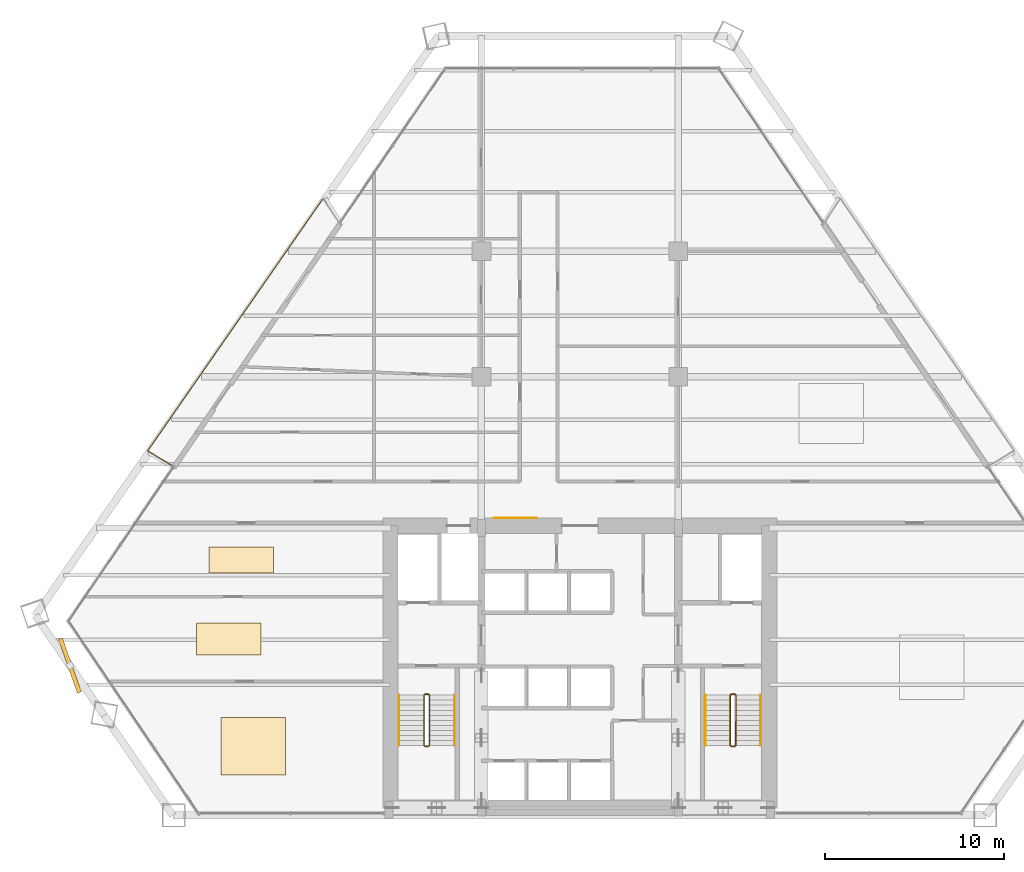
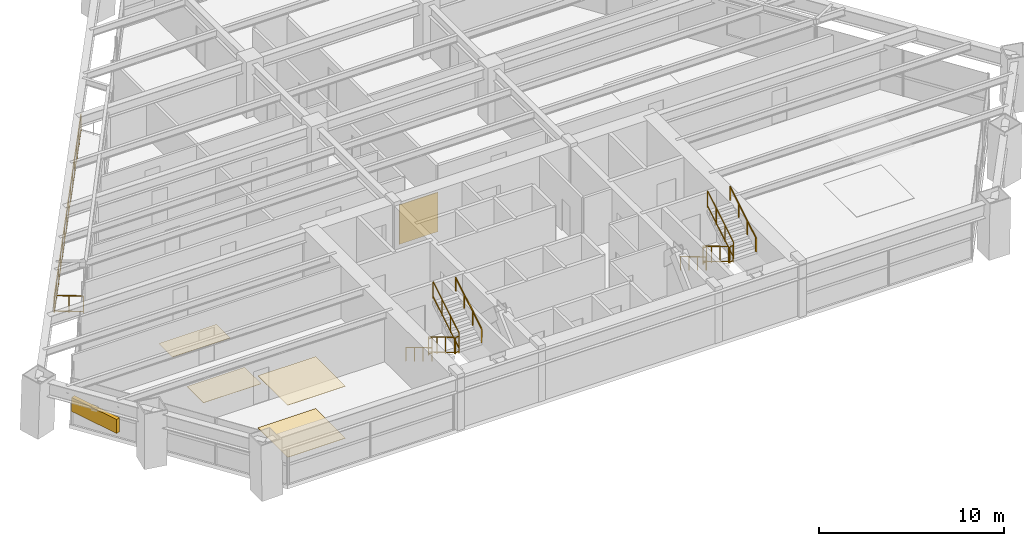
# One storey, part 13 of 14: 14 railings, 5 coverings, 1 shading device.
"""IFC4 building model written with IfcOpenShell, lengths in metres."""

from ifc_helpers import new_model, si_unit, direction, frame, origin, origin_2d, place, context, subcontext, project, spatial, rectangle, extrude, source, transform, mapped, material, layer, layer_set, type_object, type_shapes, element, save


model = new_model("IFC4")

# Units and contexts
model_context = context("Model", 3, precision=1e-05, world=origin(), true_north=direction((0.0, 1.0)))
body_context = subcontext(model_context, "Body", "Model", "MODEL_VIEW")
ifc_project = project(units=[si_unit("LENGTHUNIT", "METRE"), si_unit("AREAUNIT", "SQUARE_METRE"), si_unit("VOLUMEUNIT", "CUBIC_METRE"), si_unit("PLANEANGLEUNIT", "RADIAN"), si_unit("MASSUNIT", "GRAM", prefix="KILO")], contexts=[model_context])

# Site, building, storey
site_placement = place(None, origin())
site = spatial("IfcSite", under=ifc_project, at=site_placement, CompositionType="ELEMENT")
building_placement = place(site_placement, origin())
building = spatial("IfcBuilding", under=site, at=building_placement, Name="Varnakhor Terracotta Tower", CompositionType="ELEMENT")
storey_placement = place(building_placement, frame((0.0, 0.0, 38.60009765625)))
storey = spatial("IfcBuildingStorey", under=building, at=storey_placement, Name="L08", CompositionType="ELEMENT", Elevation=38.60009765625)

# Railings
ifc_material_1 = material(Name="Stainless Steel & Laminated Glass Guardrail", Category="steel")
railing_type_1 = type_object("IfcRailingType", Name="RLG-LOGGIA-GUARD-1150", PredefinedType="GUARDRAIL", material=ifc_material_1)
railing_1_placement = place(storey_placement, frame((-22.77880859375, 19.523681640625, 0.0)))
element("IfcRailing", 1, at=railing_1_placement, inside=storey, type_object=railing_type_1, Name="L08 W Loggia Glass Guard 1", PredefinedType="GUARDRAIL", context=body_context, shape_type="SweptSolid", body=[
    extrude(rectangle(XDim=0.048095703125, YDim=0.048095703125, at=origin_2d()), frame((0.0, 0.0, 1.1259765625), z_axis=(-0.850951355504, 0.525244505508, 0.0), x_axis=(-0.525244505508, -0.850951355504, 0.0)), (0.0, 0.0, 1.0), 1.590576171875),
    extrude(rectangle(XDim=0.048095703125, YDim=0.048095703125, at=origin_2d()), frame((0.0, 0.0, 0.10009765625), z_axis=(-0.850951355504, 0.525244505508, 0.0), x_axis=(-0.525244505508, -0.850951355504, 0.0)), (0.0, 0.0, 1.0), 1.590576171875),
    extrude(rectangle(XDim=0.0419921875, YDim=0.0419921875, at=origin_2d()), origin(), (0.0, 0.0, 1.0), 1.101806640625),
    extrude(rectangle(XDim=0.0419921875, YDim=0.0419921875, at=origin_2d()), frame((-0.6767578125, 0.417724609375, 0.0)), (0.0, 0.0, 1.0), 1.101806640625),
    extrude(rectangle(XDim=0.0419921875, YDim=0.0419921875, at=origin_2d()), frame((-1.353515625, 0.83544921875, 0.0)), (0.0, 0.0, 1.0), 1.101806640625),
])
railing_2_placement = place(storey_placement, frame((-24.13232421875, 20.359130859375, 0.0)))
element("IfcRailing", 2, at=railing_2_placement, inside=storey, type_object=railing_type_1, Name="L08 W Loggia Glass Guard 2", PredefinedType="GUARDRAIL", context=body_context, shape_type="SweptSolid", body=[
    extrude(rectangle(XDim=0.048095703125, YDim=0.048095703125, at=origin_2d()), frame((0.0, 0.0, 1.1259765625), z_axis=(0.570716504181, 0.821147168208, 0.0), x_axis=(-0.821147168208, 0.570716504181, 0.0)), (0.0, 0.0, 1.0), 17.146240234375),
    extrude(rectangle(XDim=0.048095703125, YDim=0.048095703125, at=origin_2d()), frame((0.0, 0.0, 0.10009765625), z_axis=(0.570716504181, 0.821147168208, 0.0), x_axis=(-0.821147168208, 0.570716504181, 0.0)), (0.0, 0.0, 1.0), 17.146240234375),
    extrude(rectangle(XDim=0.0419921875, YDim=0.0419921875, at=origin_2d()), origin(), (0.0, 0.0, 1.0), 1.101806640625),
    extrude(rectangle(XDim=0.0419921875, YDim=0.0419921875, at=origin_2d()), frame((0.752685546875, 1.0830078125, 0.0)), (0.0, 0.0, 1.0), 1.101806640625),
    extrude(rectangle(XDim=0.0419921875, YDim=0.0419921875, at=origin_2d()), frame((1.50537109375, 2.166015625, 0.0)), (0.0, 0.0, 1.0), 1.101806640625),
    extrude(rectangle(XDim=0.0419921875, YDim=0.0419921875, at=origin_2d()), frame((2.25830078125, 3.2490234375, 0.0)), (0.0, 0.0, 1.0), 1.101806640625),
    extrude(rectangle(XDim=0.0419921875, YDim=0.0419921875, at=origin_2d()), frame((3.010986328125, 4.332275390625, 0.0)), (0.0, 0.0, 1.0), 1.101806640625),
    extrude(rectangle(XDim=0.0419921875, YDim=0.0419921875, at=origin_2d()), frame((3.763671875, 5.415283203125, 0.0)), (0.0, 0.0, 1.0), 1.101806640625),
    extrude(rectangle(XDim=0.0419921875, YDim=0.0419921875, at=origin_2d()), frame((4.516357421875, 6.498291015625, 0.0)), (0.0, 0.0, 1.0), 1.101806640625),
    extrude(rectangle(XDim=0.0419921875, YDim=0.0419921875, at=origin_2d()), frame((5.269287109375, 7.581298828125, 0.0)), (0.0, 0.0, 1.0), 1.101806640625),
    extrude(rectangle(XDim=0.0419921875, YDim=0.0419921875, at=origin_2d()), frame((6.02197265625, 8.664306640625, 0.0)), (0.0, 0.0, 1.0), 1.101806640625),
    extrude(rectangle(XDim=0.0419921875, YDim=0.0419921875, at=origin_2d()), frame((6.774658203125, 9.747314453125, 0.0)), (0.0, 0.0, 1.0), 1.101806640625),
    extrude(rectangle(XDim=0.0419921875, YDim=0.0419921875, at=origin_2d()), frame((7.52734375, 10.83056640625, 0.0)), (0.0, 0.0, 1.0), 1.101806640625),
    extrude(rectangle(XDim=0.0419921875, YDim=0.0419921875, at=origin_2d()), frame((8.2802734375, 11.91357421875, 0.0)), (0.0, 0.0, 1.0), 1.101806640625),
    extrude(rectangle(XDim=0.0419921875, YDim=0.0419921875, at=origin_2d()), frame((9.032958984375, 12.99658203125, 0.0)), (0.0, 0.0, 1.0), 1.101806640625),
    extrude(rectangle(XDim=0.0419921875, YDim=0.0419921875, at=origin_2d()), frame((9.78564453125, 14.07958984375, 0.0)), (0.0, 0.0, 1.0), 1.101806640625),
])
ifc_material_2 = material(Name="Painted Steel Stairwell Guardrail", Category="steel")
railing_type_2 = type_object("IfcRailingType", Name="RLG-STAIR-GUARD-1120", PredefinedType="GUARDRAIL", material=ifc_material_2)
railing_3_placement = place(storey_placement, frame((-8.699951171875, 6.7099609375, 0.16796875)))
element("IfcRailing", 3, at=railing_3_placement, inside=storey, type_object=railing_type_2, Name="L08 ST-1 stair guard 1", PredefinedType="GUARDRAIL", context=body_context, shape_type="SweptSolid", body=[
    extrude(rectangle(XDim=0.048095703125, YDim=0.048095703125, at=origin_2d()), frame((0.0, 0.0, 1.09619140625), z_axis=(0.0, -0.857242210791, 0.514913383045), x_axis=(1.0, 0.0, 0.0)), (0.0, 0.0, 1.0), 3.266357421875),
    extrude(rectangle(XDim=0.048095703125, YDim=0.048095703125, at=origin_2d()), frame((0.0, 0.0, 0.10009765625), z_axis=(0.0, -0.857242210791, 0.514913383045), x_axis=(1.0, 0.0, 0.0)), (0.0, 0.0, 1.0), 3.266357421875),
    extrude(rectangle(XDim=0.0419921875, YDim=0.0419921875, at=origin_2d()), origin(), (0.0, 0.0, 1.0), 1.072021484375),
    extrude(rectangle(XDim=0.0419921875, YDim=0.0419921875, at=origin_2d()), frame((0.0, -0.933349609375, 0.560546875)), (0.0, 0.0, 1.0), 1.072021484375),
    extrude(rectangle(XDim=0.0419921875, YDim=0.0419921875, at=origin_2d()), frame((0.0, -1.86669921875, 1.121337890625)), (0.0, 0.0, 1.0), 1.072021484375),
    extrude(rectangle(XDim=0.0419921875, YDim=0.0419921875, at=origin_2d()), frame((0.0, -2.800048828125, 1.681884765625)), (0.0, 0.0, 1.0), 1.072021484375),
])
railing_4_placement = place(storey_placement, frame((-8.64990234375, 3.860107421875, 1.849853515625)))
element("IfcRailing", 4, at=railing_4_placement, inside=storey, type_object=railing_type_2, Name="L08 ST-1 stair guard 2", PredefinedType="GUARDRAIL", context=body_context, shape_type="SweptSolid", body=[
    extrude(rectangle(XDim=0.048095703125, YDim=0.048095703125, at=origin_2d()), frame((0.0, 0.0, 1.09619140625), z_axis=(1.0, 0.0, 0.0), x_axis=(0.0, 1.0, 0.0)), (0.0, 0.0, 1.0), 0.199951171875),
    extrude(rectangle(XDim=0.048095703125, YDim=0.048095703125, at=origin_2d()), frame((0.0, 0.0, 0.10009765625), z_axis=(1.0, 0.0, 0.0), x_axis=(0.0, 1.0, 0.0)), (0.0, 0.0, 1.0), 0.199951171875),
    extrude(rectangle(XDim=0.0419921875, YDim=0.0419921875, at=origin_2d()), origin(), (0.0, 0.0, 1.0), 1.072021484375),
    extrude(rectangle(XDim=0.0419921875, YDim=0.0419921875, at=origin_2d()), frame((0.199951171875, 0.0, 0.0)), (0.0, 0.0, 1.0), 1.072021484375),
])
railing_5_placement = place(storey_placement, frame((-8.39990234375, 3.909912109375, 2.01806640625)))
element("IfcRailing", 5, at=railing_5_placement, inside=storey, type_object=railing_type_2, Name="L08 ST-1 stair guard 3", PredefinedType="GUARDRAIL", context=body_context, shape_type="SweptSolid", body=[
    extrude(rectangle(XDim=0.048095703125, YDim=0.048095703125, at=origin_2d()), frame((0.0, 0.0, 1.09619140625), z_axis=(0.0, 0.857242210791, 0.514913383045), x_axis=(-1.0, 0.0, 0.0)), (0.0, 0.0, 1.0), 3.266357421875),
    extrude(rectangle(XDim=0.048095703125, YDim=0.048095703125, at=origin_2d()), frame((0.0, 0.0, 0.10009765625), z_axis=(0.0, 0.857242210791, 0.514913383045), x_axis=(-1.0, 0.0, 0.0)), (0.0, 0.0, 1.0), 3.266357421875),
    extrude(rectangle(XDim=0.0419921875, YDim=0.0419921875, at=origin_2d()), origin(), (0.0, 0.0, 1.0), 1.072021484375),
    extrude(rectangle(XDim=0.0419921875, YDim=0.0419921875, at=origin_2d()), frame((0.0, 0.933349609375, 0.560546875)), (0.0, 0.0, 1.0), 1.072021484375),
    extrude(rectangle(XDim=0.0419921875, YDim=0.0419921875, at=origin_2d()), frame((0.0, 1.86669921875, 1.121337890625)), (0.0, 0.0, 1.0), 1.072021484375),
    extrude(rectangle(XDim=0.0419921875, YDim=0.0419921875, at=origin_2d()), frame((0.0, 2.800048828125, 1.681884765625)), (0.0, 0.0, 1.0), 1.072021484375),
])
railing_6_placement = place(storey_placement, frame((-8.64990234375, 6.760009765625, 0.0)))
element("IfcRailing", 6, at=railing_6_placement, inside=storey, type_object=railing_type_2, Name="L08 ST-1 stair guard 4", PredefinedType="GUARDRAIL", context=body_context, shape_type="SweptSolid", body=[
    extrude(rectangle(XDim=0.048095703125, YDim=0.048095703125, at=origin_2d()), frame((0.0, 0.0, 1.09619140625), z_axis=(1.0, 0.0, 0.0), x_axis=(0.0, 1.0, 0.0)), (0.0, 0.0, 1.0), 0.199951171875),
    extrude(rectangle(XDim=0.048095703125, YDim=0.048095703125, at=origin_2d()), frame((0.0, 0.0, 0.10009765625), z_axis=(1.0, 0.0, 0.0), x_axis=(0.0, 1.0, 0.0)), (0.0, 0.0, 1.0), 0.199951171875),
    extrude(rectangle(XDim=0.0419921875, YDim=0.0419921875, at=origin_2d()), origin(), (0.0, 0.0, 1.0), 1.072021484375),
    extrude(rectangle(XDim=0.0419921875, YDim=0.0419921875, at=origin_2d()), frame((0.199951171875, 0.0, 0.0)), (0.0, 0.0, 1.0), 1.072021484375),
])
railing_7_placement = place(storey_placement, frame((8.39990234375, 6.7099609375, 0.16796875)))
element("IfcRailing", 7, at=railing_7_placement, inside=storey, type_object=railing_type_2, Name="L08 ST-2 stair guard 1", PredefinedType="GUARDRAIL", context=body_context, shape_type="SweptSolid", body=[
    extrude(rectangle(XDim=0.048095703125, YDim=0.048095703125, at=origin_2d()), frame((0.0, 0.0, 1.09619140625), z_axis=(0.0, -0.857242210791, 0.514913383045), x_axis=(1.0, 0.0, 0.0)), (0.0, 0.0, 1.0), 3.266357421875),
    extrude(rectangle(XDim=0.048095703125, YDim=0.048095703125, at=origin_2d()), frame((0.0, 0.0, 0.10009765625), z_axis=(0.0, -0.857242210791, 0.514913383045), x_axis=(1.0, 0.0, 0.0)), (0.0, 0.0, 1.0), 3.266357421875),
    extrude(rectangle(XDim=0.0419921875, YDim=0.0419921875, at=origin_2d()), origin(), (0.0, 0.0, 1.0), 1.072021484375),
    extrude(rectangle(XDim=0.0419921875, YDim=0.0419921875, at=origin_2d()), frame((0.0, -0.933349609375, 0.560546875)), (0.0, 0.0, 1.0), 1.072021484375),
    extrude(rectangle(XDim=0.0419921875, YDim=0.0419921875, at=origin_2d()), frame((0.0, -1.86669921875, 1.121337890625)), (0.0, 0.0, 1.0), 1.072021484375),
    extrude(rectangle(XDim=0.0419921875, YDim=0.0419921875, at=origin_2d()), frame((0.0, -2.800048828125, 1.681884765625)), (0.0, 0.0, 1.0), 1.072021484375),
])
railing_8_placement = place(storey_placement, frame((8.449951171875, 3.860107421875, 1.849853515625)))
element("IfcRailing", 8, at=railing_8_placement, inside=storey, type_object=railing_type_2, Name="L08 ST-2 stair guard 2", PredefinedType="GUARDRAIL", context=body_context, shape_type="SweptSolid", body=[
    extrude(rectangle(XDim=0.048095703125, YDim=0.048095703125, at=origin_2d()), frame((0.0, 0.0, 1.09619140625), z_axis=(1.0, 0.0, 0.0), x_axis=(0.0, 1.0, 0.0)), (0.0, 0.0, 1.0), 0.199951171875),
    extrude(rectangle(XDim=0.048095703125, YDim=0.048095703125, at=origin_2d()), frame((0.0, 0.0, 0.10009765625), z_axis=(1.0, 0.0, 0.0), x_axis=(0.0, 1.0, 0.0)), (0.0, 0.0, 1.0), 0.199951171875),
    extrude(rectangle(XDim=0.0419921875, YDim=0.0419921875, at=origin_2d()), origin(), (0.0, 0.0, 1.0), 1.072021484375),
    extrude(rectangle(XDim=0.0419921875, YDim=0.0419921875, at=origin_2d()), frame((0.199951171875, 0.0, 0.0)), (0.0, 0.0, 1.0), 1.072021484375),
])
railing_9_placement = place(storey_placement, frame((8.699951171875, 3.909912109375, 2.01806640625)))
element("IfcRailing", 9, at=railing_9_placement, inside=storey, type_object=railing_type_2, Name="L08 ST-2 stair guard 3", PredefinedType="GUARDRAIL", context=body_context, shape_type="SweptSolid", body=[
    extrude(rectangle(XDim=0.048095703125, YDim=0.048095703125, at=origin_2d()), frame((0.0, 0.0, 1.09619140625), z_axis=(0.0, 0.857242210791, 0.514913383045), x_axis=(-1.0, 0.0, 0.0)), (0.0, 0.0, 1.0), 3.266357421875),
    extrude(rectangle(XDim=0.048095703125, YDim=0.048095703125, at=origin_2d()), frame((0.0, 0.0, 0.10009765625), z_axis=(0.0, 0.857242210791, 0.514913383045), x_axis=(-1.0, 0.0, 0.0)), (0.0, 0.0, 1.0), 3.266357421875),
    extrude(rectangle(XDim=0.0419921875, YDim=0.0419921875, at=origin_2d()), origin(), (0.0, 0.0, 1.0), 1.072021484375),
    extrude(rectangle(XDim=0.0419921875, YDim=0.0419921875, at=origin_2d()), frame((0.0, 0.933349609375, 0.560546875)), (0.0, 0.0, 1.0), 1.072021484375),
    extrude(rectangle(XDim=0.0419921875, YDim=0.0419921875, at=origin_2d()), frame((0.0, 1.86669921875, 1.121337890625)), (0.0, 0.0, 1.0), 1.072021484375),
    extrude(rectangle(XDim=0.0419921875, YDim=0.0419921875, at=origin_2d()), frame((0.0, 2.800048828125, 1.681884765625)), (0.0, 0.0, 1.0), 1.072021484375),
])
railing_10_placement = place(storey_placement, frame((8.449951171875, 6.760009765625, 0.0)))
element("IfcRailing", 10, at=railing_10_placement, inside=storey, type_object=railing_type_2, Name="L08 ST-2 stair guard 4", PredefinedType="GUARDRAIL", context=body_context, shape_type="SweptSolid", body=[
    extrude(rectangle(XDim=0.048095703125, YDim=0.048095703125, at=origin_2d()), frame((0.0, 0.0, 1.09619140625), z_axis=(1.0, 0.0, 0.0), x_axis=(0.0, 1.0, 0.0)), (0.0, 0.0, 1.0), 0.199951171875),
    extrude(rectangle(XDim=0.048095703125, YDim=0.048095703125, at=origin_2d()), frame((0.0, 0.0, 0.10009765625), z_axis=(1.0, 0.0, 0.0), x_axis=(0.0, 1.0, 0.0)), (0.0, 0.0, 1.0), 0.199951171875),
    extrude(rectangle(XDim=0.0419921875, YDim=0.0419921875, at=origin_2d()), origin(), (0.0, 0.0, 1.0), 1.072021484375),
    extrude(rectangle(XDim=0.0419921875, YDim=0.0419921875, at=origin_2d()), frame((0.199951171875, 0.0, 0.0)), (0.0, 0.0, 1.0), 1.072021484375),
])
ifc_material_3 = material(Name="Brushed Stainless Steel Handrail", Category="steel")
railing_type_3 = type_object("IfcRailingType", Name="RLG-STAIR-HANDRAIL-920", PredefinedType="HANDRAIL", material=ifc_material_3)
railing_11_placement = place(storey_placement, frame((-10.10009765625, 6.7099609375, 0.16796875)))
element("IfcRailing", 11, at=railing_11_placement, inside=storey, type_object=railing_type_3, Name="L08 ST-1 stair handrail 1", PredefinedType="HANDRAIL", context=body_context, shape_type="SweptSolid", body=[
    extrude(rectangle(XDim=0.048095703125, YDim=0.048095703125, at=origin_2d()), frame((0.0, 0.0, 0.89599609375), z_axis=(0.0, -0.857242210791, 0.514913383045), x_axis=(1.0, 0.0, 0.0)), (0.0, 0.0, 1.0), 3.266357421875),
    extrude(rectangle(XDim=0.0419921875, YDim=0.0419921875, at=origin_2d()), origin(), (0.0, 0.0, 1.0), 0.871826171875),
    extrude(rectangle(XDim=0.0419921875, YDim=0.0419921875, at=origin_2d()), frame((0.0, -0.933349609375, 0.560546875)), (0.0, 0.0, 1.0), 0.871826171875),
    extrude(rectangle(XDim=0.0419921875, YDim=0.0419921875, at=origin_2d()), frame((0.0, -1.86669921875, 1.121337890625)), (0.0, 0.0, 1.0), 0.871826171875),
    extrude(rectangle(XDim=0.0419921875, YDim=0.0419921875, at=origin_2d()), frame((0.0, -2.800048828125, 1.681884765625)), (0.0, 0.0, 1.0), 0.871826171875),
])
railing_12_placement = place(storey_placement, frame((-7.0, 3.909912109375, 2.01806640625)))
element("IfcRailing", 12, at=railing_12_placement, inside=storey, type_object=railing_type_3, Name="L08 ST-1 stair handrail 2", PredefinedType="HANDRAIL", context=body_context, shape_type="SweptSolid", body=[
    extrude(rectangle(XDim=0.048095703125, YDim=0.048095703125, at=origin_2d()), frame((0.0, 0.0, 0.89599609375), z_axis=(0.0, 0.857242210791, 0.514913383045), x_axis=(-1.0, 0.0, 0.0)), (0.0, 0.0, 1.0), 3.266357421875),
    extrude(rectangle(XDim=0.0419921875, YDim=0.0419921875, at=origin_2d()), origin(), (0.0, 0.0, 1.0), 0.871826171875),
    extrude(rectangle(XDim=0.0419921875, YDim=0.0419921875, at=origin_2d()), frame((0.0, 0.933349609375, 0.560546875)), (0.0, 0.0, 1.0), 0.871826171875),
    extrude(rectangle(XDim=0.0419921875, YDim=0.0419921875, at=origin_2d()), frame((0.0, 1.86669921875, 1.121337890625)), (0.0, 0.0, 1.0), 0.871826171875),
    extrude(rectangle(XDim=0.0419921875, YDim=0.0419921875, at=origin_2d()), frame((0.0, 2.800048828125, 1.681884765625)), (0.0, 0.0, 1.0), 0.871826171875),
])
railing_13_placement = place(storey_placement, frame((7.0, 6.7099609375, 0.16796875)))
element("IfcRailing", 13, at=railing_13_placement, inside=storey, type_object=railing_type_3, Name="L08 ST-2 stair handrail 1", PredefinedType="HANDRAIL", context=body_context, shape_type="SweptSolid", body=[
    extrude(rectangle(XDim=0.048095703125, YDim=0.048095703125, at=origin_2d()), frame((0.0, 0.0, 0.89599609375), z_axis=(0.0, -0.857242210791, 0.514913383045), x_axis=(1.0, 0.0, 0.0)), (0.0, 0.0, 1.0), 3.266357421875),
    extrude(rectangle(XDim=0.0419921875, YDim=0.0419921875, at=origin_2d()), origin(), (0.0, 0.0, 1.0), 0.871826171875),
    extrude(rectangle(XDim=0.0419921875, YDim=0.0419921875, at=origin_2d()), frame((0.0, -0.933349609375, 0.560546875)), (0.0, 0.0, 1.0), 0.871826171875),
    extrude(rectangle(XDim=0.0419921875, YDim=0.0419921875, at=origin_2d()), frame((0.0, -1.86669921875, 1.121337890625)), (0.0, 0.0, 1.0), 0.871826171875),
    extrude(rectangle(XDim=0.0419921875, YDim=0.0419921875, at=origin_2d()), frame((0.0, -2.800048828125, 1.681884765625)), (0.0, 0.0, 1.0), 0.871826171875),
])
railing_14_placement = place(storey_placement, frame((10.10009765625, 3.909912109375, 2.01806640625)))
element("IfcRailing", 14, at=railing_14_placement, inside=storey, type_object=railing_type_3, Name="L08 ST-2 stair handrail 2", PredefinedType="HANDRAIL", context=body_context, shape_type="SweptSolid", body=[
    extrude(rectangle(XDim=0.048095703125, YDim=0.048095703125, at=origin_2d()), frame((0.0, 0.0, 0.89599609375), z_axis=(0.0, 0.857242210791, 0.514913383045), x_axis=(-1.0, 0.0, 0.0)), (0.0, 0.0, 1.0), 3.266357421875),
    extrude(rectangle(XDim=0.0419921875, YDim=0.0419921875, at=origin_2d()), origin(), (0.0, 0.0, 1.0), 0.871826171875),
    extrude(rectangle(XDim=0.0419921875, YDim=0.0419921875, at=origin_2d()), frame((0.0, 0.933349609375, 0.560546875)), (0.0, 0.0, 1.0), 0.871826171875),
    extrude(rectangle(XDim=0.0419921875, YDim=0.0419921875, at=origin_2d()), frame((0.0, 1.86669921875, 1.121337890625)), (0.0, 0.0, 1.0), 0.871826171875),
    extrude(rectangle(XDim=0.0419921875, YDim=0.0419921875, at=origin_2d()), frame((0.0, 2.800048828125, 1.681884765625)), (0.0, 0.0, 1.0), 0.871826171875),
])

# Shading device
ifc_material_4 = material(Name="Extruded Architectural Terracotta Screen", Category="masonry")
shading_device_type = type_object("IfcShadingDeviceType", Name="TERRACOTTA SOLAR SCREEN W", PredefinedType="USERDEFINED", material=ifc_material_4)
shared_shape_1 = source(origin(), body_context, "Body", "SweptSolid", [
    extrude(rectangle(XDim=3.199951171875, YDim=0.239990234375, at=origin_2d()), origin(), (0.0, 0.0, 1.0), 0.919921875),
])
type_shapes(shading_device_type, [shared_shape_1])
shading_device_placement = place(storey_placement, frame((-28.48095703125, 8.369873046875, 1.617919921875), z_axis=(0.0, 0.0, 1.0), x_axis=(0.333642332174, -0.942699737022, 0.0)))
element("IfcShadingDevice", 15, at=shading_device_placement, inside=storey, type_object=shading_device_type, Name="L08 W Terracotta Solar Screen", ObjectType="SCREEN", PredefinedType="USERDEFINED", context=body_context, shape_type="MappedRepresentation", body=[
    mapped(shared_shape_1, transform((0.0, 0.0, 0.0), scale=1.0)),
])

# Coverings
ifc_material_5 = material(Name="Extruded Architectural Terracotta Cladding", Category="masonry")
ifc_layer_1 = layer(ifc_material_5, 0.044921875, Name="Extruded Architectural Terracotta Cladding")
ifc_layer_set_1 = layer_set([ifc_layer_1], Name="Extruded Architectural Terracotta Cladding")
covering_type_1 = type_object("IfcCoveringType", Name="COV-CLAD-TERRACOTTA", PredefinedType="CLADDING", material=ifc_layer_set_1)
shared_shape_2 = source(origin(), body_context, "Body", "SweptSolid", [
    extrude(rectangle(XDim=2.39990234375, YDim=0.030029296875, at=origin_2d()), origin(), (0.0, 0.0, 1.0), 2.60009765625),
])
type_shapes(covering_type_1, [shared_shape_2])
covering_1_placement = place(storey_placement, frame((-3.60009765625, 16.612060546875, -0.000244140625), z_axis=(0.0, 0.0, 1.0), x_axis=(1.0, 0.0, 0.0)))
element("IfcCovering", 16, at=covering_1_placement, inside=storey, type_object=covering_type_1, Name="L08 Core Lobby Limestone Cladding", PredefinedType="CLADDING", context=body_context, shape_type="MappedRepresentation", body=[
    mapped(shared_shape_2, transform((0.0, 0.0, 0.0), scale=1.0)),
])
ifc_material_6 = material(Name="Honed Riyadh Limestone Flooring", Category="masonry")
ifc_layer_2 = layer(ifc_material_6, 0.030029296875, Name="Honed Riyadh Limestone Flooring")
ifc_layer_set_2 = layer_set([ifc_layer_2], Name="Honed Riyadh Limestone Flooring")
covering_type_2 = type_object("IfcCoveringType", Name="COV-FLOOR-LIMESTONE", PredefinedType="FLOORING", material=ifc_layer_set_2)
shared_shape_3 = source(origin(), body_context, "Body", "SweptSolid", [
    extrude(rectangle(XDim=3.60009765625, YDim=3.214111328125, at=origin_2d()), origin(), (0.0, 0.0, 1.0), 0.02001953125),
])
covering_2_placement = place(storey_placement, frame((-18.241943359375, 3.85205078125, 0.0), z_axis=(0.0, 0.0, 1.0), x_axis=(1.0, 0.0, 0.0)))
element("IfcCovering", 17, at=covering_2_placement, inside=storey, type_object=covering_type_2, Name="L08 Honed Stone Flooring 1", PredefinedType="FLOORING", context=body_context, shape_type="MappedRepresentation", body=[
    mapped(shared_shape_3, transform((0.0, 0.0, 0.0), scale=1.0)),
])
ifc_material_7 = material(Name="Perforated Acoustic Mineral-Fibre Ceiling", Category="gypsum")
ifc_layer_3 = layer(ifc_material_7, 0.02490234375, Name="Perforated Acoustic Mineral-Fibre Ceiling")
ifc_layer_set_3 = layer_set([ifc_layer_3], Name="Perforated Acoustic Mineral-Fibre Ceiling")
covering_type_3 = type_object("IfcCoveringType", Name="COV-CEILING-ACOUSTIC", PredefinedType="CEILING", material=ifc_layer_set_3)
shared_shape_4 = source(origin(), body_context, "Body", "SweptSolid", [
    extrude(rectangle(XDim=3.60009765625, YDim=3.214111328125, at=origin_2d()), origin(), (0.0, 0.0, 1.0), 0.02392578125),
])
covering_3_placement = place(storey_placement, frame((-18.241943359375, 3.85205078125, 3.426025390625), z_axis=(0.0, 0.0, 1.0), x_axis=(1.0, 0.0, 0.0)))
element("IfcCovering", 18, at=covering_3_placement, inside=storey, type_object=covering_type_3, Name="L08 Acoustic Ceiling Panel 1", PredefinedType="CEILING", context=body_context, shape_type="MappedRepresentation", body=[
    mapped(shared_shape_4, transform((0.0, 0.0, 0.0), scale=1.0)),
])
shared_shape_5 = source(origin(), body_context, "Body", "SweptSolid", [
    extrude(rectangle(XDim=3.60009765625, YDim=1.785888671875, at=origin_2d()), origin(), (0.0, 0.0, 1.0), 0.02001953125),
])
covering_4_placement = place(storey_placement, frame((-19.617919921875, 9.85009765625, 0.0), z_axis=(0.0, 0.0, 1.0), x_axis=(1.0, 0.0, 0.0)))
element("IfcCovering", 19, at=covering_4_placement, inside=storey, type_object=covering_type_2, Name="L08 Honed Stone Flooring 3", PredefinedType="FLOORING", context=body_context, shape_type="MappedRepresentation", body=[
    mapped(shared_shape_5, transform((0.0, 0.0, 0.0), scale=1.0)),
])
shared_shape_6 = source(origin(), body_context, "Body", "SweptSolid", [
    extrude(rectangle(XDim=3.60009765625, YDim=1.471923828125, at=origin_2d()), origin(), (0.0, 0.0, 1.0), 0.02001953125),
])
covering_5_placement = place(storey_placement, frame((-18.910888671875, 14.263916015625, 0.0), z_axis=(0.0, 0.0, 1.0), x_axis=(1.0, 0.0, 0.0)))
element("IfcCovering", 20, at=covering_5_placement, inside=storey, type_object=covering_type_2, Name="L08 Honed Stone Flooring 4", PredefinedType="FLOORING", context=body_context, shape_type="MappedRepresentation", body=[
    mapped(shared_shape_6, transform((0.0, 0.0, 0.0), scale=1.0)),
])

save(model, "model.ifc")
